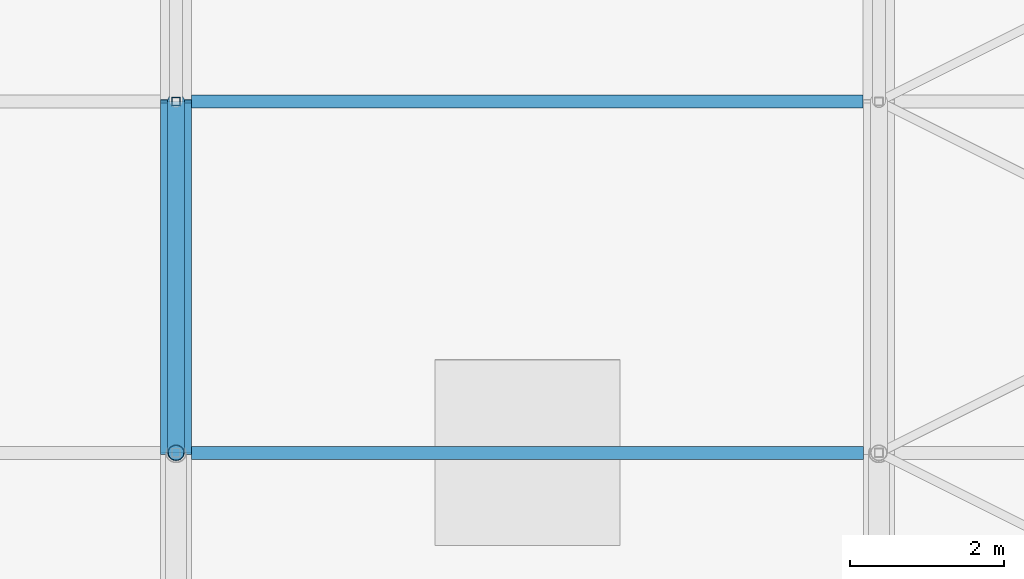
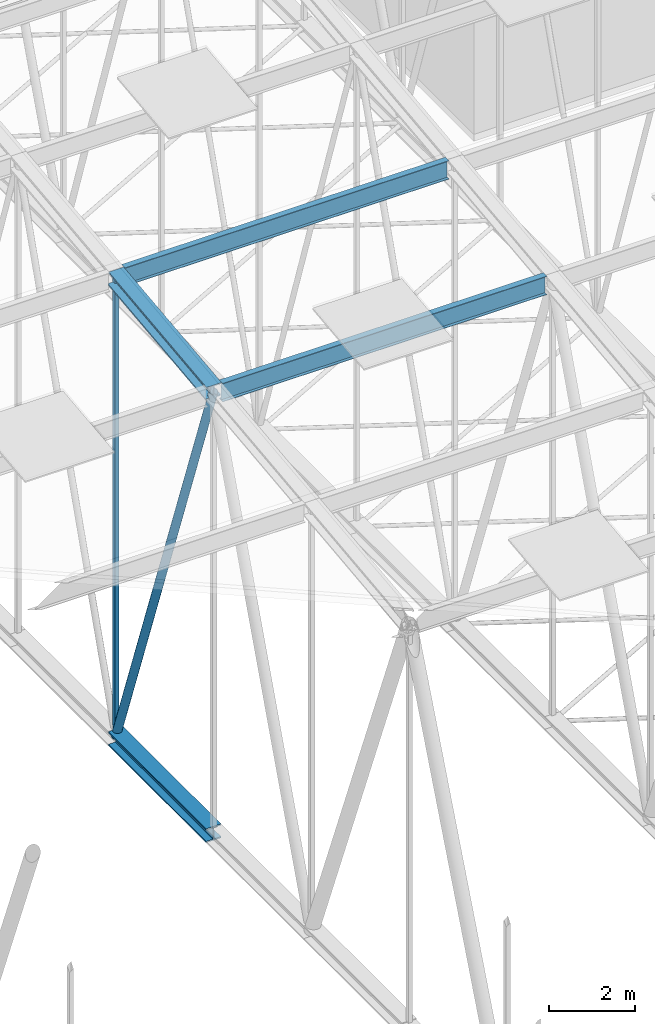
# One storey, part 141 of 500: 6 members.
"""IFC4 building model written with IfcOpenShell, lengths in metres."""

from ifc_helpers import new_model, si_unit, direction, frame, origin, origin_2d, place, context, subcontext, project, spatial, hollow_rectangle, hollow_circle, i_section, extrude, material, material_profile, profile_set, type_object, element, save


model = new_model("IFC4")

# Units and contexts
model_context = context("Model", 3, precision=1e-05, world=origin(), true_north=direction((0.0, 1.0)))
body_context = subcontext(model_context, "Body", "Model", "MODEL_VIEW")
ifc_project = project(units=[si_unit("LENGTHUNIT", "METRE"), si_unit("AREAUNIT", "SQUARE_METRE"), si_unit("VOLUMEUNIT", "CUBIC_METRE"), si_unit("PLANEANGLEUNIT", "RADIAN"), si_unit("MASSUNIT", "GRAM", prefix="KILO")], contexts=[model_context])

# Site, building, storey
site_placement = place(None, origin())
site = spatial("IfcSite", under=ifc_project, at=site_placement, CompositionType="ELEMENT")
building_placement = place(site_placement, origin())
building = spatial("IfcBuilding", under=site, at=building_placement, Name="Shirokan Park Arena", CompositionType="ELEMENT")
storey_placement = place(building_placement, frame((0.0, 0.0, 29.1201171875)))
storey = spatial("IfcBuildingStorey", under=building, at=storey_placement, Name="L06", CompositionType="ELEMENT", Elevation=29.1201171875)

# Members
ifc_material_1 = material(Name="Steel ASTM A992", Category="steel")
ifc_material_profile_1 = material_profile(ifc_material_1, i_section(OverallWidth=0.40087890625, OverallDepth=0.39892578125, WebThickness=0.02490234375, FlangeThickness=0.03955078125, at=origin_2d()), Name="W360X314")
ifc_profile_set_1 = profile_set([ifc_material_profile_1], Name="Steel ASTM A992")
member_type_1 = type_object("IfcMemberType", Name="Bottom chord W360X314", PredefinedType="CHORD", material=ifc_profile_set_1)
member_1_placement = place(storey_placement, frame((81.89990234375, 40.949951171875, 4.677001953125), z_axis=(0.0, 1.0, 0.0), x_axis=(-1.0, 0.0, 0.0)))
element("IfcMember", 1, at=member_1_placement, inside=storey, type_object=member_type_1, Name="Truss T10 bottom chord 12", PredefinedType="CHORD", context=body_context, shape_type="SweptSolid", body=[
    extrude(i_section(OverallWidth=0.40087890625, OverallDepth=0.39892578125, WebThickness=0.02490234375, FlangeThickness=0.03955078125, at=origin_2d()), origin(), (0.0, 0.0, 1.0), 4.550048828125),
])
ifc_material_profile_2 = material_profile(ifc_material_1, i_section(OverallWidth=0.166015625, OverallDepth=0.528076171875, WebThickness=0.009765625, FlangeThickness=0.013671875, at=origin_2d()), Name="W530X74")
ifc_profile_set_2 = profile_set([ifc_material_profile_2], Name="Steel ASTM A992")
member_type_2 = type_object("IfcMemberType", Name="Purlin W530X74", PredefinedType="PURLIN", material=ifc_profile_set_2)
member_2_placement = place(storey_placement, frame((82.1005859375, 40.949951171875, 17.165771484375), z_axis=(1.0, 0.0, 0.0), x_axis=(0.0, 1.0, 0.0)))
element("IfcMember", 2, at=member_2_placement, inside=storey, type_object=member_type_2, Name="Purlin 12 bay 10", PredefinedType="PURLIN", context=body_context, shape_type="SweptSolid", body=[
    extrude(i_section(OverallWidth=0.166015625, OverallDepth=0.528076171875, WebThickness=0.009765625, FlangeThickness=0.013671875, at=origin_2d()), origin(), (0.0, 0.0, 1.0), 8.698974609375),
])
member_3_placement = place(storey_placement, frame((82.10302734375, 45.5, 17.685791015625), z_axis=(1.0, 0.0, 0.0), x_axis=(0.0, 1.0, 0.0)))
element("IfcMember", 3, at=member_3_placement, inside=storey, type_object=member_type_2, Name="Purlin 13 bay 10", PredefinedType="PURLIN", context=body_context, shape_type="SweptSolid", body=[
    extrude(i_section(OverallWidth=0.166015625, OverallDepth=0.528076171875, WebThickness=0.009765625, FlangeThickness=0.013671875, at=origin_2d()), origin(), (0.0, 0.0, 1.0), 8.694091796875),
])
ifc_material_profile_3 = material_profile(ifc_material_1, i_section(OverallWidth=0.40087890625, OverallDepth=0.39892578125, WebThickness=0.02490234375, FlangeThickness=0.03955078125, at=origin_2d()), Name="W360X314")
ifc_profile_set_3 = profile_set([ifc_material_profile_3], Name="Steel ASTM A992")
member_type_3 = type_object("IfcMemberType", Name="Top chord W360X314", PredefinedType="CHORD", material=ifc_profile_set_3)
member_4_placement = place(storey_placement, frame((81.89990234375, 40.949951171875, 17.221435546875), z_axis=(0.0, 0.993532328996, 0.113549598152), x_axis=(-1.0, 0.0, 0.0)))
element("IfcMember", 4, at=member_4_placement, inside=storey, type_object=member_type_3, Name="Truss T10 top chord 12", PredefinedType="CHORD", context=body_context, shape_type="SweptSolid", body=[
    extrude(i_section(OverallWidth=0.40087890625, OverallDepth=0.39892578125, WebThickness=0.02490234375, FlangeThickness=0.03955078125, at=origin_2d()), origin(), (0.0, 0.0, 1.0), 4.57958984375),
])
ifc_material_2 = material(Name="Steel ASTM A500 Grade C", Category="steel")
ifc_material_profile_4 = material_profile(ifc_material_2, hollow_circle(Radius=0.109619140625, WallThickness=0.009521484375, at=origin_2d()), Name="HSS219.1X9.5")
ifc_profile_set_4 = profile_set([ifc_material_profile_4], Name="Steel ASTM A500 Grade C")
member_type_4 = type_object("IfcMemberType", Name="Truss diagonal HSS219.1X9.5", PredefinedType="BRACE", material=ifc_profile_set_4)
member_5_placement = place(storey_placement, frame((81.89990234375, 40.949951171875, 17.221435546875), z_axis=(0.0, 0.340977600467, -0.94007142068), x_axis=(-1.0, 0.0, 0.0)))
element("IfcMember", 5, at=member_5_placement, inside=storey, type_object=member_type_4, Name="Truss T10 diagonal 12", PredefinedType="BRACE", context=body_context, shape_type="SweptSolid", body=[
    extrude(hollow_circle(Radius=0.109619140625, WallThickness=0.009521484375, at=origin_2d()), origin(), (0.0, 0.0, 1.0), 13.34423828125),
])
ifc_material_profile_5 = material_profile(ifc_material_2, hollow_rectangle(XDim=0.114013671875, YDim=0.114013671875, WallThickness=0.00634765625, at=origin_2d()), Name="HSS114.3X114.3X6.4")
ifc_profile_set_5 = profile_set([ifc_material_profile_5], Name="Steel ASTM A500 Grade C")
member_type_5 = type_object("IfcMemberType", Name="Truss post HSS114.3X114.3X6.4", PredefinedType="POST", material=ifc_profile_set_5)
member_6_placement = place(storey_placement, frame((81.89990234375, 45.5, 4.677001953125), z_axis=(0.0, 0.0, 1.0), x_axis=(1.0, 0.0, 0.0)))
element("IfcMember", 6, at=member_6_placement, inside=storey, type_object=member_type_5, Name="Truss T10 post 13", PredefinedType="POST", context=body_context, shape_type="SweptSolid", body=[
    extrude(hollow_rectangle(XDim=0.114013671875, YDim=0.114013671875, WallThickness=0.00634765625, at=origin_2d()), origin(), (0.0, 0.0, 1.0), 13.064453125),
])

save(model, "model.ifc")
